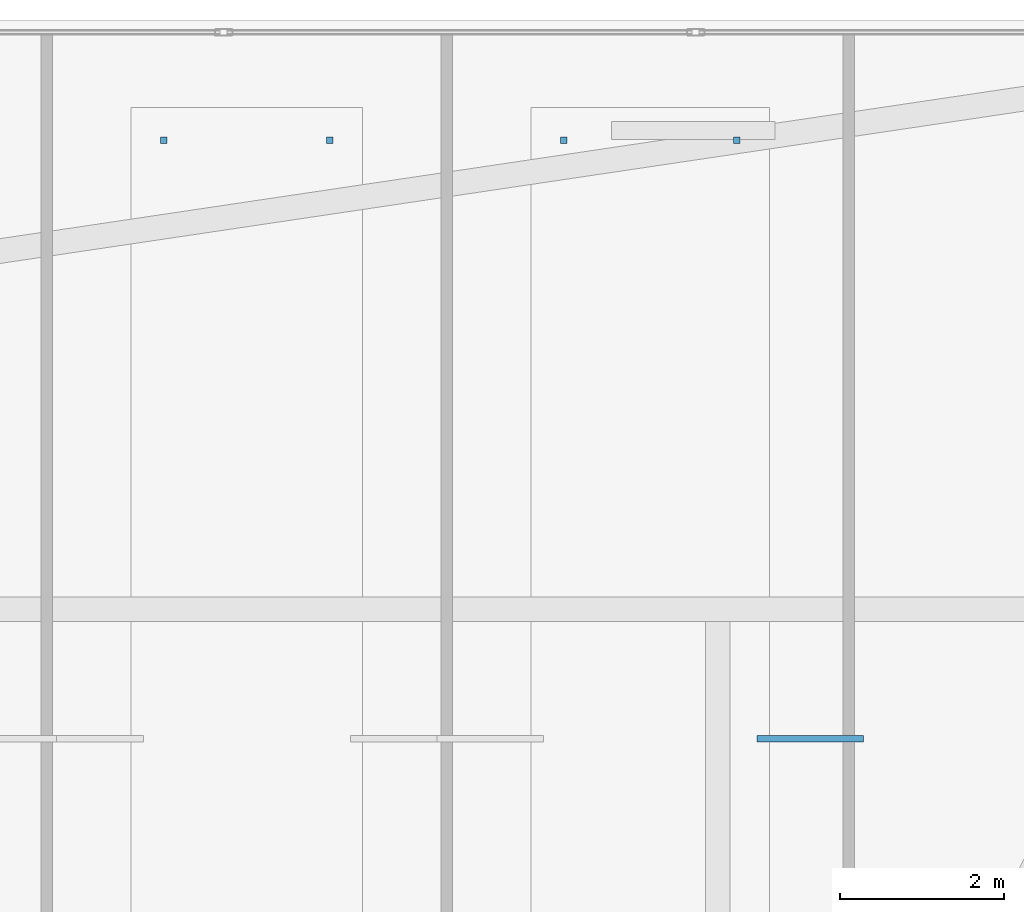
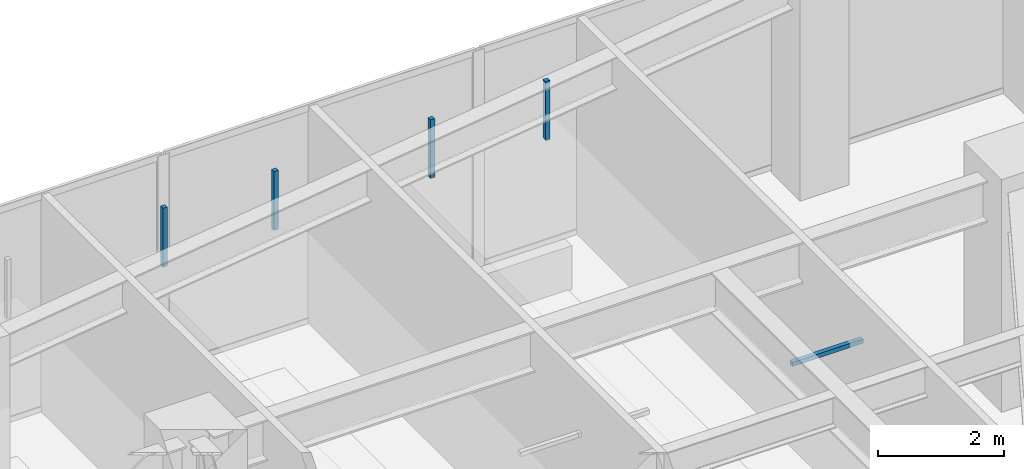
# One storey, part 22 of 27: 5 discrete accessories.
"""IFC4 building model written with IfcOpenShell, lengths in metres."""

from ifc_helpers import new_model, si_unit, direction, frame, origin, origin_2d, place, context, subcontext, project, spatial, rectangle, extrude, material, type_object, element, save


model = new_model("IFC4")

# Units and contexts
model_context = context("Model", 3, precision=1e-05, world=origin(), true_north=direction((0.0, 1.0)))
body_context = subcontext(model_context, "Body", "Model", "MODEL_VIEW")
ifc_project = project(units=[si_unit("LENGTHUNIT", "METRE"), si_unit("AREAUNIT", "SQUARE_METRE"), si_unit("VOLUMEUNIT", "CUBIC_METRE"), si_unit("PLANEANGLEUNIT", "RADIAN"), si_unit("MASSUNIT", "GRAM", prefix="KILO")], contexts=[model_context])

# Site, building, storey
site_placement = place(None, origin())
site = spatial("IfcSite", under=ifc_project, at=site_placement, CompositionType="ELEMENT")
building_placement = place(site_placement, origin())
building = spatial("IfcBuilding", under=site, at=building_placement, Name="Tarnavaz Court Tower", CompositionType="ELEMENT")
storey_placement = place(building_placement, frame((0.0, 0.0, 9.89990234375)))
storey = spatial("IfcBuildingStorey", under=building, at=storey_placement, Name="L02", CompositionType="ELEMENT", Elevation=9.89990234375)

# Discrete accessories
ifc_material = material(Name="Anodised Aluminium 6063-T6", Category="aluminium")
discrete_accessory_type = type_object("IfcDiscreteAccessoryType", Name="DA-BRKT-ALU", PredefinedType="BRACKET", material=ifc_material)
for number, where, z_axis, x_axis, name in (
    (1, (-10.239990234375, 28.530029296875, 3.09033203125), (0.0, 0.0, 1.0), (1.0, 0.0, 0.0), "L02 Ceiling Suspension Hanger Bracket 02-3"),
    (2, (-12.27001953125, 28.530029296875, 3.09033203125), (0.0, 0.0, 1.0), (1.0, 0.0, 0.0), "L02 Ceiling Suspension Hanger Bracket 02-4"),
    (3, (-5.27001953125, 28.530029296875, 3.09033203125), (0.0, 0.0, 1.0), (1.0, 0.0, 0.0), "L02 Ceiling Suspension Hanger Bracket 03-3"),
    (4, (-7.3798828125, 28.530029296875, 3.09033203125), (0.0, 0.0, 1.0), (1.0, 0.0, 0.0), "L02 Ceiling Suspension Hanger Bracket 03-4"),
):
    element("IfcDiscreteAccessory", number, at=place(storey_placement, frame(where, z_axis=z_axis, x_axis=x_axis)), inside=storey, type_object=discrete_accessory_type, Name=name, PredefinedType="BRACKET", context=body_context, shape_type="SweptSolid", body=[
        extrude(rectangle(XDim=0.080078125, YDim=0.080078125, at=origin_2d()), origin(), (0.0, 0.0, 1.0), 1.139892578125),
    ])
discrete_accessory_placement = place(storey_placement, frame((-4.3701171875, 21.215087890625, 3.052490234375), z_axis=(0.0, 0.0, 1.0), x_axis=(1.0, 0.0, 0.0)))
element("IfcDiscreteAccessory", 5, at=discrete_accessory_placement, inside=storey, type_object=discrete_accessory_type, Name="L02 Ceiling Perimeter Wall-Tie Bracket 03-2", PredefinedType="BRACKET", context=body_context, shape_type="SweptSolid", body=[
    extrude(rectangle(XDim=1.300048828125, YDim=0.080078125, at=origin_2d()), origin(), (0.0, 0.0, 1.0), 0.080078125),
])

save(model, "model.ifc")
